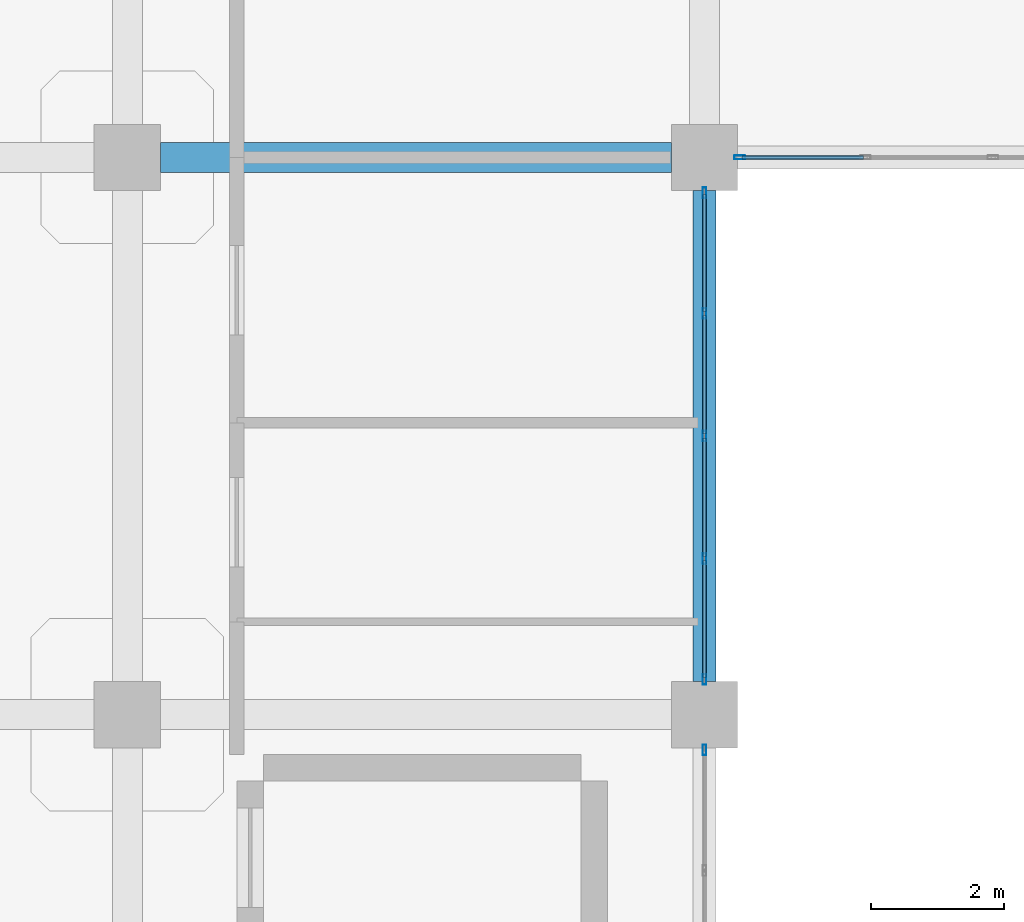
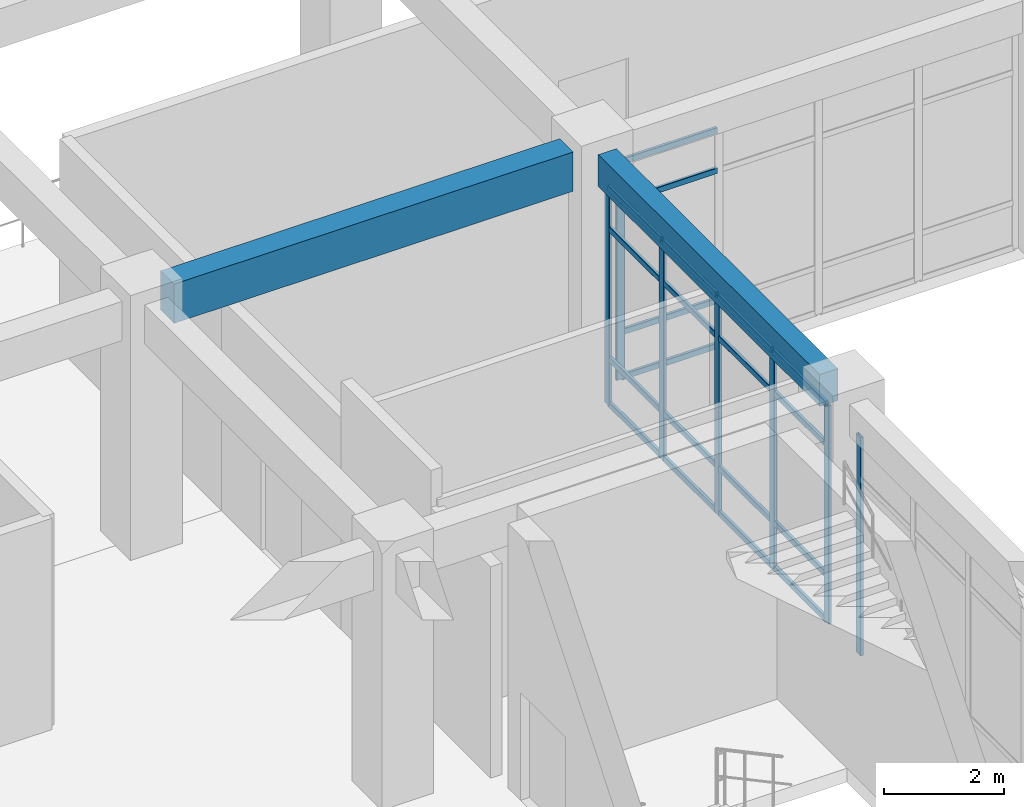
# One storey, part 32 of 114: 27 members, 2 beams, 3 elements without a shape of their own.
"""IFC4 building model written with IfcOpenShell, lengths in metres."""

from ifc_helpers import new_model, si_unit, derived_unit, direction, frame, origin, origin_2d, place, context, subcontext, project, spatial, rectangle, hollow_rectangle, extrude, material, layer, layer_set, material_profile, profile_set, type_object, element, aggregate, save


model = new_model("IFC4")

# Units and contexts
model_context = context("Model", 3, precision=1e-05, world=origin(), true_north=direction((0.0, 1.0)))
body_context = subcontext(model_context, "Body", "Model", "MODEL_VIEW")
ifc_project = project(units=[si_unit("LENGTHUNIT", "METRE"), si_unit("AREAUNIT", "SQUARE_METRE"), si_unit("VOLUMEUNIT", "CUBIC_METRE"), si_unit("PLANEANGLEUNIT", "RADIAN"), si_unit("MASSUNIT", "GRAM", prefix="KILO"), derived_unit("THERMALTRANSMITTANCEUNIT", [(si_unit("MASSUNIT", "GRAM", prefix="KILO"), 1), (si_unit("TIMEUNIT", "SECOND"), -3), (si_unit("THERMODYNAMICTEMPERATUREUNIT", "KELVIN"), -1)])], contexts=[model_context])

# Site, building, storey
site_placement = place(None, origin())
site = spatial("IfcSite", under=ifc_project, at=site_placement, CompositionType="ELEMENT")
building_placement = place(site_placement, origin())
building = spatial("IfcBuilding", under=site, at=building_placement, Name="Qinzheling Arcade Emporium", CompositionType="ELEMENT")
storey_placement = place(building_placement, frame((0.0, 0.0, 6.0)))
storey = spatial("IfcBuildingStorey", under=building, at=storey_placement, Name="L02", CompositionType="ELEMENT", Elevation=6.0)

# Curtain wall, member
ifc_material_1 = material(Name="Anodised aluminium and solar-control double glazing", Category="aluminium")
ifc_layer_1 = layer(ifc_material_1, 0.159912109375, Name="Anodised aluminium and solar-control double glazing", Category="aluminium")
ifc_layer_set_1 = layer_set([ifc_layer_1], Name="Anodised aluminium and solar-control double glazing")
curtain_wall_type_1 = type_object("IfcCurtainWallType", Name="Atrium Clerestory Curtain Wall", PredefinedType="NOTDEFINED", material=ifc_layer_set_1)
curtain_wall_1_placement = place(storey_placement, origin())
curtain_wall_1 = element("IfcCurtainWall", 1, at=curtain_wall_1_placement, inside=storey, type_object=curtain_wall_type_1, Name="Curtain Wall CW-L02-064", PredefinedType="NOTDEFINED")
ifc_material_2 = material(Name="Anodised aluminium 6063-T6", Category="aluminium")
ifc_material_profile_1 = material_profile(ifc_material_2, hollow_rectangle(XDim=0.06005859375, YDim=0.159912109375, WallThickness=0.00390625, InnerFilletRadius=0.00390625, OuterFilletRadius=0.008056640625, at=origin_2d()), Name="RHS 160x60x4", Category="aluminium")
ifc_profile_set_1 = profile_set([ifc_material_profile_1], Name="Anodised aluminium 6063-T6")
member_type_1 = type_object("IfcMemberType", Name="Curtain Wall Mullion RHS160x60", PredefinedType="MULLION", material=ifc_profile_set_1)
member_1_placement = place(storey_placement, frame((70.132080078125, 42.0, 0.0), z_axis=(0.0, 0.0, 1.0), x_axis=(0.0, -1.0, 0.0)))
member_1 = element("IfcMember", 2, at=member_1_placement, type_object=member_type_1, Name="CW03 mullion 5", PredefinedType="MULLION", context=body_context, shape_type="SweptSolid", body=[
    extrude(hollow_rectangle(XDim=0.06005859375, YDim=0.159912109375, WallThickness=0.00390625, InnerFilletRadius=0.00390625, OuterFilletRadius=0.008056640625, at=origin_2d()), origin(), (0.0, 0.0, 1.0), 4.455078125),
])

# Curtain wall, members
ifc_layer_2 = layer(ifc_material_1, 0.159912109375, Name="Anodised aluminium and solar-control double glazing", Category="aluminium")
ifc_layer_set_2 = layer_set([ifc_layer_2], Name="Anodised aluminium and solar-control double glazing")
curtain_wall_type_2 = type_object("IfcCurtainWallType", Name="Arcade Portal Glazed Curtain Wall", PredefinedType="NOTDEFINED", material=ifc_layer_set_2)
curtain_wall_2_placement = place(storey_placement, origin())
curtain_wall_2 = element("IfcCurtainWall", 3, at=curtain_wall_2_placement, inside=storey, type_object=curtain_wall_type_2, Name="Curtain Wall CW-L02-065", PredefinedType="NOTDEFINED")
member_2_placement = place(storey_placement, frame((69.60009765625, 41.468017578125, 0.0), z_axis=(0.0, 0.0, 1.0), x_axis=(1.0, 0.0, 0.0)))
member_2 = element("IfcMember", 4, at=member_2_placement, type_object=member_type_1, Name="CW05 mullion 1", PredefinedType="MULLION", context=body_context, shape_type="SweptSolid", body=[
    extrude(hollow_rectangle(XDim=0.06005859375, YDim=0.159912109375, WallThickness=0.00390625, InnerFilletRadius=0.00390625, OuterFilletRadius=0.008056640625, at=origin_2d()), origin(), (0.0, 0.0, 1.0), 4.455078125),
])
member_3_placement = place(storey_placement, frame((69.60009765625, 39.64892578125, 0.0), z_axis=(0.0, 0.0, 1.0), x_axis=(1.0, 0.0, 0.0)))
member_3 = element("IfcMember", 5, at=member_3_placement, type_object=member_type_1, Name="CW05 mullion 2", PredefinedType="MULLION", context=body_context, shape_type="SweptSolid", body=[
    extrude(hollow_rectangle(XDim=0.06005859375, YDim=0.159912109375, WallThickness=0.00390625, InnerFilletRadius=0.00390625, OuterFilletRadius=0.008056640625, at=origin_2d()), origin(), (0.0, 0.0, 1.0), 4.455078125),
])
member_4_placement = place(storey_placement, frame((69.60009765625, 37.800048828125, 0.0), z_axis=(0.0, 0.0, 1.0), x_axis=(1.0, 0.0, 0.0)))
member_4 = element("IfcMember", 6, at=member_4_placement, type_object=member_type_1, Name="CW05 mullion 3", PredefinedType="MULLION", context=body_context, shape_type="SweptSolid", body=[
    extrude(hollow_rectangle(XDim=0.06005859375, YDim=0.159912109375, WallThickness=0.00390625, InnerFilletRadius=0.00390625, OuterFilletRadius=0.008056640625, at=origin_2d()), origin(), (0.0, 0.0, 1.0), 4.455078125),
])
member_5_placement = place(storey_placement, frame((69.60009765625, 35.950927734375, 0.0), z_axis=(0.0, 0.0, 1.0), x_axis=(1.0, 0.0, 0.0)))
member_5 = element("IfcMember", 7, at=member_5_placement, type_object=member_type_1, Name="CW05 mullion 4", PredefinedType="MULLION", context=body_context, shape_type="SweptSolid", body=[
    extrude(hollow_rectangle(XDim=0.06005859375, YDim=0.159912109375, WallThickness=0.00390625, InnerFilletRadius=0.00390625, OuterFilletRadius=0.008056640625, at=origin_2d()), origin(), (0.0, 0.0, 1.0), 4.455078125),
])
member_6_placement = place(storey_placement, frame((69.60009765625, 34.132080078125, 0.0), z_axis=(0.0, 0.0, 1.0), x_axis=(1.0, 0.0, 0.0)))
member_6 = element("IfcMember", 8, at=member_6_placement, type_object=member_type_1, Name="CW05 mullion 5", PredefinedType="MULLION", context=body_context, shape_type="SweptSolid", body=[
    extrude(hollow_rectangle(XDim=0.06005859375, YDim=0.159912109375, WallThickness=0.00390625, InnerFilletRadius=0.00390625, OuterFilletRadius=0.008056640625, at=origin_2d()), origin(), (0.0, 0.0, 1.0), 4.455078125),
])

# Curtain wall, member
curtain_wall_3_placement = place(storey_placement, origin())
curtain_wall_3 = element("IfcCurtainWall", 9, at=curtain_wall_3_placement, inside=storey, type_object=curtain_wall_type_2, Name="Curtain Wall CW-L02-066", PredefinedType="NOTDEFINED")
member_7_placement = place(storey_placement, frame((69.60009765625, 33.068115234375, 0.0), z_axis=(0.0, 0.0, 1.0), x_axis=(1.0, 0.0, 0.0)))
member_7 = element("IfcMember", 10, at=member_7_placement, type_object=member_type_1, Name="CW05 mullion 1", PredefinedType="MULLION", context=body_context, shape_type="SweptSolid", body=[
    extrude(hollow_rectangle(XDim=0.06005859375, YDim=0.159912109375, WallThickness=0.00390625, InnerFilletRadius=0.00390625, OuterFilletRadius=0.008056640625, at=origin_2d()), origin(), (0.0, 0.0, 1.0), 4.455078125),
])
aggregate(curtain_wall_3, [member_7])

# Member
ifc_material_profile_2 = material_profile(ifc_material_2, hollow_rectangle(XDim=0.06005859375, YDim=0.1201171875, WallThickness=0.00390625, InnerFilletRadius=0.00390625, OuterFilletRadius=0.008056640625, at=origin_2d()), Name="RHS 120x60x4", Category="aluminium")
ifc_profile_set_2 = profile_set([ifc_material_profile_2], Name="Anodised aluminium 6063-T6")
member_type_2 = type_object("IfcMemberType", Name="Curtain Wall Transom RHS120x60", PredefinedType="USERDEFINED", material=ifc_profile_set_2)
member_8_placement = place(storey_placement, frame((71.99609375, 42.0, 0.030029296875), z_axis=(-1.0, 0.0, 0.0), x_axis=(0.0, -1.0, 0.0)))
member_8 = element("IfcMember", 11, at=member_8_placement, type_object=member_type_2, Name="CW03 transom 4.1", ObjectType="TRANSOM", PredefinedType="USERDEFINED", context=body_context, shape_type="SweptSolid", body=[
    extrude(hollow_rectangle(XDim=0.06005859375, YDim=0.1201171875, WallThickness=0.00390625, InnerFilletRadius=0.00390625, OuterFilletRadius=0.008056640625, at=origin_2d()), origin(), (0.0, 0.0, 1.0), 1.833984375),
])

member_9_placement = place(storey_placement, frame((71.99609375, 42.0, 0.949951171875), z_axis=(-1.0, 0.0, 0.0), x_axis=(0.0, -1.0, 0.0)))
member_9 = element("IfcMember", 12, at=member_9_placement, type_object=member_type_2, Name="CW03 transom 4.2", ObjectType="TRANSOM", PredefinedType="USERDEFINED", context=body_context, shape_type="SweptSolid", body=[
    extrude(hollow_rectangle(XDim=0.06005859375, YDim=0.1201171875, WallThickness=0.00390625, InnerFilletRadius=0.00390625, OuterFilletRadius=0.008056640625, at=origin_2d()), origin(), (0.0, 0.0, 1.0), 1.833984375),
])

member_10_placement = place(storey_placement, frame((71.99609375, 42.0, 3.60498046875), z_axis=(-1.0, 0.0, 0.0), x_axis=(0.0, -1.0, 0.0)))
member_10 = element("IfcMember", 13, at=member_10_placement, type_object=member_type_2, Name="CW03 transom 4.3", ObjectType="TRANSOM", PredefinedType="USERDEFINED", context=body_context, shape_type="SweptSolid", body=[
    extrude(hollow_rectangle(XDim=0.06005859375, YDim=0.1201171875, WallThickness=0.00390625, InnerFilletRadius=0.00390625, OuterFilletRadius=0.008056640625, at=origin_2d()), origin(), (0.0, 0.0, 1.0), 1.833984375),
])

member_11_placement = place(storey_placement, frame((71.99609375, 42.0, 4.425048828125), z_axis=(-1.0, 0.0, 0.0), x_axis=(0.0, -1.0, 0.0)))
member_11 = element("IfcMember", 14, at=member_11_placement, type_object=member_type_2, Name="CW03 transom 4.4", ObjectType="TRANSOM", PredefinedType="USERDEFINED", context=body_context, shape_type="SweptSolid", body=[
    extrude(hollow_rectangle(XDim=0.06005859375, YDim=0.1201171875, WallThickness=0.00390625, InnerFilletRadius=0.00390625, OuterFilletRadius=0.008056640625, at=origin_2d()), origin(), (0.0, 0.0, 1.0), 1.833984375),
])

aggregate(curtain_wall_1, [member_1, member_8, member_9, member_10, member_11])

member_12_placement = place(storey_placement, frame((69.60009765625, 41.43798828125, 0.030029296875), z_axis=(0.0, -1.0, 0.0), x_axis=(1.0, 0.0, 0.0)))
member_12 = element("IfcMember", 15, at=member_12_placement, type_object=member_type_2, Name="CW05 transom 1.1", ObjectType="TRANSOM", PredefinedType="USERDEFINED", context=body_context, shape_type="SweptSolid", body=[
    extrude(hollow_rectangle(XDim=0.06005859375, YDim=0.1201171875, WallThickness=0.00390625, InnerFilletRadius=0.00390625, OuterFilletRadius=0.008056640625, at=origin_2d()), origin(), (0.0, 0.0, 1.0), 1.759033203125),
])

member_13_placement = place(storey_placement, frame((69.60009765625, 41.43798828125, 0.949951171875), z_axis=(0.0, -1.0, 0.0), x_axis=(1.0, 0.0, 0.0)))
member_13 = element("IfcMember", 16, at=member_13_placement, type_object=member_type_2, Name="CW05 transom 1.2", ObjectType="TRANSOM", PredefinedType="USERDEFINED", context=body_context, shape_type="SweptSolid", body=[
    extrude(hollow_rectangle(XDim=0.06005859375, YDim=0.1201171875, WallThickness=0.00390625, InnerFilletRadius=0.00390625, OuterFilletRadius=0.008056640625, at=origin_2d()), origin(), (0.0, 0.0, 1.0), 1.759033203125),
])

member_14_placement = place(storey_placement, frame((69.60009765625, 41.43798828125, 3.60498046875), z_axis=(0.0, -1.0, 0.0), x_axis=(1.0, 0.0, 0.0)))
member_14 = element("IfcMember", 17, at=member_14_placement, type_object=member_type_2, Name="CW05 transom 1.3", ObjectType="TRANSOM", PredefinedType="USERDEFINED", context=body_context, shape_type="SweptSolid", body=[
    extrude(hollow_rectangle(XDim=0.06005859375, YDim=0.1201171875, WallThickness=0.00390625, InnerFilletRadius=0.00390625, OuterFilletRadius=0.008056640625, at=origin_2d()), origin(), (0.0, 0.0, 1.0), 1.759033203125),
])

member_15_placement = place(storey_placement, frame((69.60009765625, 41.43798828125, 4.425048828125), z_axis=(0.0, -1.0, 0.0), x_axis=(1.0, 0.0, 0.0)))
member_15 = element("IfcMember", 18, at=member_15_placement, type_object=member_type_2, Name="CW05 transom 1.4", ObjectType="TRANSOM", PredefinedType="USERDEFINED", context=body_context, shape_type="SweptSolid", body=[
    extrude(hollow_rectangle(XDim=0.06005859375, YDim=0.1201171875, WallThickness=0.00390625, InnerFilletRadius=0.00390625, OuterFilletRadius=0.008056640625, at=origin_2d()), origin(), (0.0, 0.0, 1.0), 1.759033203125),
])

member_16_placement = place(storey_placement, frame((69.60009765625, 39.618896484375, 0.030029296875), z_axis=(0.0, -1.0, 0.0), x_axis=(1.0, 0.0, 0.0)))
member_16 = element("IfcMember", 19, at=member_16_placement, type_object=member_type_2, Name="CW05 transom 2.1", ObjectType="TRANSOM", PredefinedType="USERDEFINED", context=body_context, shape_type="SweptSolid", body=[
    extrude(hollow_rectangle(XDim=0.06005859375, YDim=0.1201171875, WallThickness=0.00390625, InnerFilletRadius=0.00390625, OuterFilletRadius=0.008056640625, at=origin_2d()), origin(), (0.0, 0.0, 1.0), 1.788818359375),
])

member_17_placement = place(storey_placement, frame((69.60009765625, 39.618896484375, 0.949951171875), z_axis=(0.0, -1.0, 0.0), x_axis=(1.0, 0.0, 0.0)))
member_17 = element("IfcMember", 20, at=member_17_placement, type_object=member_type_2, Name="CW05 transom 2.2", ObjectType="TRANSOM", PredefinedType="USERDEFINED", context=body_context, shape_type="SweptSolid", body=[
    extrude(hollow_rectangle(XDim=0.06005859375, YDim=0.1201171875, WallThickness=0.00390625, InnerFilletRadius=0.00390625, OuterFilletRadius=0.008056640625, at=origin_2d()), origin(), (0.0, 0.0, 1.0), 1.788818359375),
])

member_18_placement = place(storey_placement, frame((69.60009765625, 39.618896484375, 3.60498046875), z_axis=(0.0, -1.0, 0.0), x_axis=(1.0, 0.0, 0.0)))
member_18 = element("IfcMember", 21, at=member_18_placement, type_object=member_type_2, Name="CW05 transom 2.3", ObjectType="TRANSOM", PredefinedType="USERDEFINED", context=body_context, shape_type="SweptSolid", body=[
    extrude(hollow_rectangle(XDim=0.06005859375, YDim=0.1201171875, WallThickness=0.00390625, InnerFilletRadius=0.00390625, OuterFilletRadius=0.008056640625, at=origin_2d()), origin(), (0.0, 0.0, 1.0), 1.788818359375),
])

member_19_placement = place(storey_placement, frame((69.60009765625, 39.618896484375, 4.425048828125), z_axis=(0.0, -1.0, 0.0), x_axis=(1.0, 0.0, 0.0)))
member_19 = element("IfcMember", 22, at=member_19_placement, type_object=member_type_2, Name="CW05 transom 2.4", ObjectType="TRANSOM", PredefinedType="USERDEFINED", context=body_context, shape_type="SweptSolid", body=[
    extrude(hollow_rectangle(XDim=0.06005859375, YDim=0.1201171875, WallThickness=0.00390625, InnerFilletRadius=0.00390625, OuterFilletRadius=0.008056640625, at=origin_2d()), origin(), (0.0, 0.0, 1.0), 1.788818359375),
])

member_20_placement = place(storey_placement, frame((69.60009765625, 37.77001953125, 0.030029296875), z_axis=(0.0, -1.0, 0.0), x_axis=(1.0, 0.0, 0.0)))
member_20 = element("IfcMember", 23, at=member_20_placement, type_object=member_type_2, Name="CW05 transom 3.1", ObjectType="TRANSOM", PredefinedType="USERDEFINED", context=body_context, shape_type="SweptSolid", body=[
    extrude(hollow_rectangle(XDim=0.06005859375, YDim=0.1201171875, WallThickness=0.00390625, InnerFilletRadius=0.00390625, OuterFilletRadius=0.008056640625, at=origin_2d()), origin(), (0.0, 0.0, 1.0), 1.7890625),
])

member_21_placement = place(storey_placement, frame((69.60009765625, 37.77001953125, 0.949951171875), z_axis=(0.0, -1.0, 0.0), x_axis=(1.0, 0.0, 0.0)))
member_21 = element("IfcMember", 24, at=member_21_placement, type_object=member_type_2, Name="CW05 transom 3.2", ObjectType="TRANSOM", PredefinedType="USERDEFINED", context=body_context, shape_type="SweptSolid", body=[
    extrude(hollow_rectangle(XDim=0.06005859375, YDim=0.1201171875, WallThickness=0.00390625, InnerFilletRadius=0.00390625, OuterFilletRadius=0.008056640625, at=origin_2d()), origin(), (0.0, 0.0, 1.0), 1.7890625),
])

member_22_placement = place(storey_placement, frame((69.60009765625, 37.77001953125, 3.60498046875), z_axis=(0.0, -1.0, 0.0), x_axis=(1.0, 0.0, 0.0)))
member_22 = element("IfcMember", 25, at=member_22_placement, type_object=member_type_2, Name="CW05 transom 3.3", ObjectType="TRANSOM", PredefinedType="USERDEFINED", context=body_context, shape_type="SweptSolid", body=[
    extrude(hollow_rectangle(XDim=0.06005859375, YDim=0.1201171875, WallThickness=0.00390625, InnerFilletRadius=0.00390625, OuterFilletRadius=0.008056640625, at=origin_2d()), origin(), (0.0, 0.0, 1.0), 1.7890625),
])

member_23_placement = place(storey_placement, frame((69.60009765625, 37.77001953125, 4.425048828125), z_axis=(0.0, -1.0, 0.0), x_axis=(1.0, 0.0, 0.0)))
member_23 = element("IfcMember", 26, at=member_23_placement, type_object=member_type_2, Name="CW05 transom 3.4", ObjectType="TRANSOM", PredefinedType="USERDEFINED", context=body_context, shape_type="SweptSolid", body=[
    extrude(hollow_rectangle(XDim=0.06005859375, YDim=0.1201171875, WallThickness=0.00390625, InnerFilletRadius=0.00390625, OuterFilletRadius=0.008056640625, at=origin_2d()), origin(), (0.0, 0.0, 1.0), 1.7890625),
])

member_24_placement = place(storey_placement, frame((69.60009765625, 35.9208984375, 0.030029296875), z_axis=(0.0, -1.0, 0.0), x_axis=(1.0, 0.0, 0.0)))
member_24 = element("IfcMember", 27, at=member_24_placement, type_object=member_type_2, Name="CW05 transom 4.1", ObjectType="TRANSOM", PredefinedType="USERDEFINED", context=body_context, shape_type="SweptSolid", body=[
    extrude(hollow_rectangle(XDim=0.06005859375, YDim=0.1201171875, WallThickness=0.00390625, InnerFilletRadius=0.00390625, OuterFilletRadius=0.008056640625, at=origin_2d()), origin(), (0.0, 0.0, 1.0), 1.7587890625),
])

member_25_placement = place(storey_placement, frame((69.60009765625, 35.9208984375, 0.949951171875), z_axis=(0.0, -1.0, 0.0), x_axis=(1.0, 0.0, 0.0)))
member_25 = element("IfcMember", 28, at=member_25_placement, type_object=member_type_2, Name="CW05 transom 4.2", ObjectType="TRANSOM", PredefinedType="USERDEFINED", context=body_context, shape_type="SweptSolid", body=[
    extrude(hollow_rectangle(XDim=0.06005859375, YDim=0.1201171875, WallThickness=0.00390625, InnerFilletRadius=0.00390625, OuterFilletRadius=0.008056640625, at=origin_2d()), origin(), (0.0, 0.0, 1.0), 1.7587890625),
])

member_26_placement = place(storey_placement, frame((69.60009765625, 35.9208984375, 3.60498046875), z_axis=(0.0, -1.0, 0.0), x_axis=(1.0, 0.0, 0.0)))
member_26 = element("IfcMember", 29, at=member_26_placement, type_object=member_type_2, Name="CW05 transom 4.3", ObjectType="TRANSOM", PredefinedType="USERDEFINED", context=body_context, shape_type="SweptSolid", body=[
    extrude(hollow_rectangle(XDim=0.06005859375, YDim=0.1201171875, WallThickness=0.00390625, InnerFilletRadius=0.00390625, OuterFilletRadius=0.008056640625, at=origin_2d()), origin(), (0.0, 0.0, 1.0), 1.7587890625),
])

member_27_placement = place(storey_placement, frame((69.60009765625, 35.9208984375, 4.425048828125), z_axis=(0.0, -1.0, 0.0), x_axis=(1.0, 0.0, 0.0)))
member_27 = element("IfcMember", 30, at=member_27_placement, type_object=member_type_2, Name="CW05 transom 4.4", ObjectType="TRANSOM", PredefinedType="USERDEFINED", context=body_context, shape_type="SweptSolid", body=[
    extrude(hollow_rectangle(XDim=0.06005859375, YDim=0.1201171875, WallThickness=0.00390625, InnerFilletRadius=0.00390625, OuterFilletRadius=0.008056640625, at=origin_2d()), origin(), (0.0, 0.0, 1.0), 1.7587890625),
])

aggregate(curtain_wall_2, [member_2, member_3, member_4, member_5, member_6, member_12, member_13, member_14, member_15, member_16, member_17, member_18, member_19, member_20, member_21, member_22, member_23, member_24, member_25, member_26, member_27])

# Beams
ifc_material_3 = material(Name="Concrete C40", Category="concrete")
ifc_material_profile_3 = material_profile(ifc_material_3, rectangle(XDim=0.449951171875, YDim=0.800048828125, at=origin_2d()), Name="RC 450x800", Category="concrete")
ifc_profile_set_3 = profile_set([ifc_material_profile_3], Name="Concrete C40")
beam_type_1 = type_object("IfcBeamType", Name="RC Primary Frame Beam 450x800 C40", PredefinedType="BEAM", material=ifc_profile_set_3)
beam_1_placement = place(storey_placement, frame((61.39990234375, 42.0, 4.719970703125), z_axis=(1.0, 0.0, 0.0), x_axis=(0.0, 1.0, 0.0)))
element("IfcBeam", 31, at=beam_1_placement, inside=storey, type_object=beam_type_1, Name="Beam BM-L02-X-F-8", PredefinedType="BEAM", context=body_context, shape_type="SweptSolid", body=[
    extrude(rectangle(XDim=0.449951171875, YDim=0.800048828125, at=origin_2d()), origin(), (0.0, 0.0, 1.0), 7.7001953125),
])
ifc_material_profile_4 = material_profile(ifc_material_3, rectangle(XDim=0.35009765625, YDim=0.64990234375, at=origin_2d()), Name="RC 350x650", Category="concrete")
ifc_profile_set_4 = profile_set([ifc_material_profile_4], Name="Concrete C40")
beam_type_2 = type_object("IfcBeamType", Name="RC Spandrel Edge Beam 350x650 C40", PredefinedType="SPANDREL", material=ifc_profile_set_4)
beam_2_placement = place(storey_placement, frame((69.60009765625, 34.10009765625, 4.794921875), z_axis=(0.0, 1.0, 0.0), x_axis=(-1.0, 0.0, 0.0)))
element("IfcBeam", 32, at=beam_2_placement, inside=storey, type_object=beam_type_2, Name="Beam BM-L02-Y-9-E", PredefinedType="SPANDREL", context=body_context, shape_type="SweptSolid", body=[
    extrude(rectangle(XDim=0.35009765625, YDim=0.64990234375, at=origin_2d()), origin(), (0.0, 0.0, 1.0), 7.39990234375),
])

save(model, "model.ifc")
